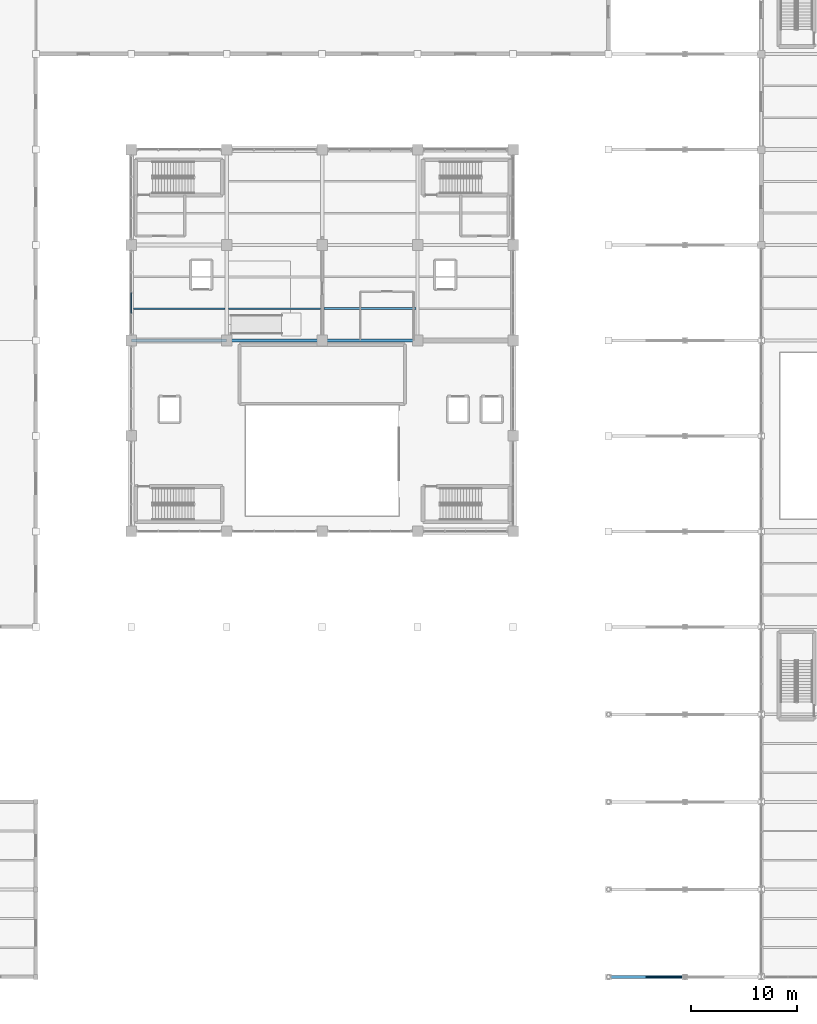
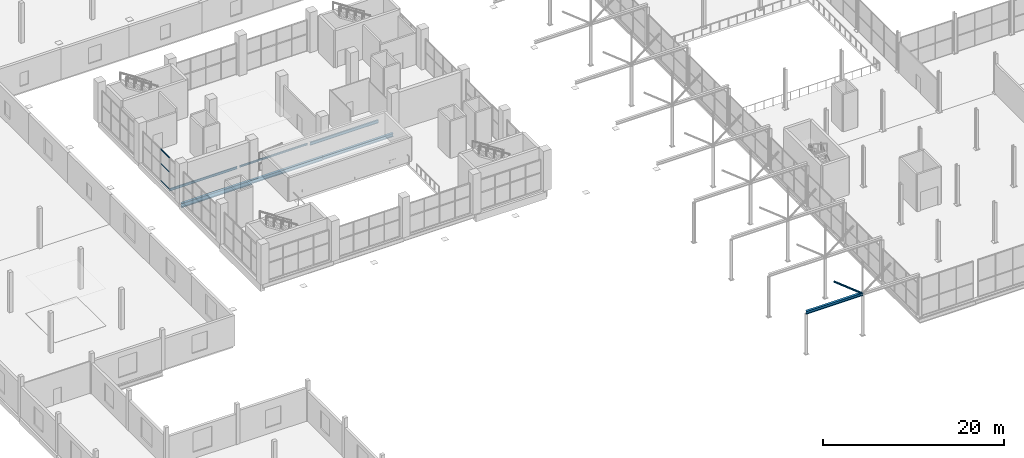
# One storey, part 18 of 147: 7 beams, 4 members, 1 element without a shape of its own.
"""IFC4 building model written with IfcOpenShell, lengths in metres."""

from ifc_helpers import new_model, si_unit, direction, frame, origin, origin_2d, place, context, subcontext, project, spatial, hollow_rectangle, hollow_circle, i_section, extrude, material, layer, layer_set, material_profile, profile_set, type_object, element, aggregate, save


model = new_model("IFC4")

# Units and contexts
model_context = context("Model", 3, precision=1e-05, world=origin(), true_north=direction((0.0, 1.0)))
body_context = subcontext(model_context, "Body", "Model", "MODEL_VIEW")
ifc_project = project(units=[si_unit("LENGTHUNIT", "METRE"), si_unit("AREAUNIT", "SQUARE_METRE"), si_unit("VOLUMEUNIT", "CUBIC_METRE"), si_unit("PLANEANGLEUNIT", "RADIAN"), si_unit("MASSUNIT", "GRAM", prefix="KILO")], contexts=[model_context])

# Site, building, storey
site_placement = place(None, origin())
site = spatial("IfcSite", under=ifc_project, at=site_placement, CompositionType="ELEMENT")
building_placement = place(site_placement, origin())
building = spatial("IfcBuilding", under=site, at=building_placement, Name="Sundgate Opera House", CompositionType="ELEMENT")
storey_placement = place(building_placement, frame((0.0, 0.0, 6.0)))
storey = spatial("IfcBuildingStorey", under=building, at=storey_placement, Name="L01", CompositionType="ELEMENT", Elevation=6.0)

# Beams
ifc_material_1 = material(Name="Steel S355J2", Category="steel")
ifc_material_profile_1 = material_profile(ifc_material_1, i_section(OverallWidth=0.300048828125, OverallDepth=0.389892578125, WebThickness=0.010986328125, FlangeThickness=0.01904296875, at=origin_2d()), Name="HEA 400")
ifc_profile_set_1 = profile_set([ifc_material_profile_1], Name="Steel S355J2")
beam_type_1 = type_object("IfcBeamType", Name="BM-GR-HEA400", PredefinedType="BEAM", material=ifc_profile_set_1)
beam_1_placement = place(storey_placement, frame((81.0, 0.0, 5.5849609375), z_axis=(1.0, 0.0, 0.0), x_axis=(0.0, 1.0, 0.0)))
element("IfcBeam", 1, at=beam_1_placement, inside=storey, type_object=beam_type_1, Name="L01 Passage Arch Tie Beam B3391", PredefinedType="BEAM", context=body_context, shape_type="SweptSolid", body=[
    extrude(i_section(OverallWidth=0.300048828125, OverallDepth=0.389892578125, WebThickness=0.010986328125, FlangeThickness=0.01904296875, at=origin_2d()), origin(), (0.0, 0.0, 1.0), 7.199951171875),
])
ifc_material_2 = material(Name="Steel S355J2", Category="steel")
ifc_material_profile_2 = material_profile(ifc_material_2, i_section(OverallWidth=0.300048828125, OverallDepth=0.43994140625, WebThickness=0.011474609375, FlangeThickness=0.02099609375, at=origin_2d()), Name="HEA 450")
ifc_profile_set_2 = profile_set([ifc_material_profile_2], Name="Steel S355J2")
beam_type_2 = type_object("IfcBeamType", Name="BM-GR-HEA450", PredefinedType="BEAM", material=ifc_profile_set_2)
beam_2_placement = place(storey_placement, frame((54.0, 60.0, -0.52001953125), z_axis=(1.0, 0.0, 0.0), x_axis=(0.0, 1.0, 0.0)))
element("IfcBeam", 2, at=beam_2_placement, inside=storey, type_object=beam_type_2, Name="L01 Primary E-W Girder B1346", PredefinedType="BEAM", context=body_context, shape_type="SweptSolid", body=[
    extrude(i_section(OverallWidth=0.300048828125, OverallDepth=0.43994140625, WebThickness=0.011474609375, FlangeThickness=0.02099609375, at=origin_2d()), origin(), (0.0, 0.0, 1.0), 9.0),
])
ifc_material_3 = material(Name="Steel S355J2", Category="steel")
ifc_material_profile_3 = material_profile(ifc_material_3, i_section(OverallWidth=0.300048828125, OverallDepth=0.489990234375, WebThickness=0.011962890625, FlangeThickness=0.02294921875, at=origin_2d()), Name="HEA 500")
ifc_profile_set_3 = profile_set([ifc_material_profile_3], Name="Steel S355J2")
beam_type_3 = type_object("IfcBeamType", Name="BM-GR-HEA500", PredefinedType="BEAM", material=ifc_profile_set_3)
beam_3_placement = place(storey_placement, frame((45.0, 60.0, -0.544921875), z_axis=(1.0, 0.0, 0.0), x_axis=(0.0, 1.0, 0.0)))
element("IfcBeam", 3, at=beam_3_placement, inside=storey, type_object=beam_type_3, Name="L01 Primary E-W Girder B1345", PredefinedType="BEAM", context=body_context, shape_type="SweptSolid", body=[
    extrude(i_section(OverallWidth=0.300048828125, OverallDepth=0.489990234375, WebThickness=0.011962890625, FlangeThickness=0.02294921875, at=origin_2d()), origin(), (0.0, 0.0, 1.0), 9.0),
])
ifc_material_4 = material(Name="Steel S355J2", Category="steel")
ifc_material_profile_4 = material_profile(ifc_material_4, i_section(OverallWidth=0.300048828125, OverallDepth=0.590087890625, WebThickness=0.012939453125, FlangeThickness=0.02490234375, at=origin_2d()), Name="HEA 600")
ifc_profile_set_4 = profile_set([ifc_material_profile_4], Name="Steel S355J2")
beam_type_4 = type_object("IfcBeamType", Name="BM-GR-HEA600", PredefinedType="BEAM", material=ifc_profile_set_4)
beam_4_placement = place(storey_placement, frame((36.0, 60.0, -0.594970703125), z_axis=(1.0, 0.0, 0.0), x_axis=(0.0, 1.0, 0.0)))
element("IfcBeam", 4, at=beam_4_placement, inside=storey, type_object=beam_type_4, Name="L01 Primary E-W Girder B1344", PredefinedType="BEAM", context=body_context, shape_type="SweptSolid", body=[
    extrude(i_section(OverallWidth=0.300048828125, OverallDepth=0.590087890625, WebThickness=0.012939453125, FlangeThickness=0.02490234375, at=origin_2d()), origin(), (0.0, 0.0, 1.0), 9.0),
])
ifc_material_5 = material(Name="Steel S355J2", Category="steel")
ifc_material_profile_5 = material_profile(ifc_material_5, i_section(OverallWidth=0.1201171875, OverallDepth=0.239990234375, WebThickness=0.006103515625, FlangeThickness=0.009765625, at=origin_2d()), Name="IPE 240")
ifc_profile_set_5 = profile_set([ifc_material_profile_5], Name="Steel S355J2")
beam_type_5 = type_object("IfcBeamType", Name="BM-JS-IPE240", PredefinedType="JOIST", material=ifc_profile_set_5)
beam_5_placement = place(storey_placement, frame((45.14990234375, 63.0, -0.419921875), z_axis=(1.0, 0.0, 0.0), x_axis=(0.0, 1.0, 0.0)))
element("IfcBeam", 5, at=beam_5_placement, inside=storey, type_object=beam_type_5, Name="L01 Secondary Floor Joist B1588", PredefinedType="JOIST", context=body_context, shape_type="SweptSolid", body=[
    extrude(i_section(OverallWidth=0.1201171875, OverallDepth=0.239990234375, WebThickness=0.006103515625, FlangeThickness=0.009765625, at=origin_2d()), origin(), (0.0, 0.0, 1.0), 8.7001953125),
])
ifc_material_6 = material(Name="Steel S355J2", Category="steel")
ifc_material_profile_6 = material_profile(ifc_material_6, i_section(OverallWidth=0.14990234375, OverallDepth=0.300048828125, WebThickness=0.007080078125, FlangeThickness=0.0107421875, at=origin_2d()), Name="IPE 300")
ifc_profile_set_6 = profile_set([ifc_material_profile_6], Name="Steel S355J2")
beam_type_6 = type_object("IfcBeamType", Name="BM-JS-IPE300", PredefinedType="JOIST", material=ifc_profile_set_6)
beam_6_placement = place(storey_placement, frame((36.22509765625, 63.0, -0.449951171875), z_axis=(1.0, 0.0, 0.0), x_axis=(0.0, 1.0, 0.0)))
element("IfcBeam", 6, at=beam_6_placement, inside=storey, type_object=beam_type_6, Name="L01 Secondary Floor Joist B1586", PredefinedType="JOIST", context=body_context, shape_type="SweptSolid", body=[
    extrude(i_section(OverallWidth=0.14990234375, OverallDepth=0.300048828125, WebThickness=0.007080078125, FlangeThickness=0.0107421875, at=origin_2d()), origin(), (0.0, 0.0, 1.0), 8.625),
])
ifc_material_7 = material(Name="Steel S355J2", Category="steel")
ifc_material_profile_7 = material_profile(ifc_material_7, i_section(OverallWidth=0.179931640625, OverallDepth=0.39990234375, WebThickness=0.008544921875, FlangeThickness=0.013427734375, at=origin_2d()), Name="IPE 400")
ifc_profile_set_7 = profile_set([ifc_material_profile_7], Name="Steel S355J2")
beam_type_7 = type_object("IfcBeamType", Name="BM-JS-IPE400", PredefinedType="JOIST", material=ifc_profile_set_7)
beam_7_placement = place(storey_placement, frame((54.14990234375, 63.0, -0.5), z_axis=(1.0, 0.0, 0.0), x_axis=(0.0, 1.0, 0.0)))
element("IfcBeam", 7, at=beam_7_placement, inside=storey, type_object=beam_type_7, Name="L01 Secondary Floor Joist B1590", PredefinedType="JOIST", context=body_context, shape_type="SweptSolid", body=[
    extrude(i_section(OverallWidth=0.179931640625, OverallDepth=0.39990234375, WebThickness=0.008544921875, FlangeThickness=0.013427734375, at=origin_2d()), origin(), (0.0, 0.0, 1.0), 8.7001953125),
])

# Curtain wall, members
ifc_material_8 = material(Name="Anodized aluminium and low-iron glass", Category="aluminium")
ifc_layer = layer(ifc_material_8, 0.179931640625)
ifc_layer_set = layer_set([ifc_layer], Name="Anodized aluminium and low-iron glass")
curtain_wall_type = type_object("IfcCurtainWallType", Name="CW-FOYER-GLASS", PredefinedType="NOTDEFINED", material=ifc_layer_set)
curtain_wall_placement = place(storey_placement, origin())
curtain_wall = element("IfcCurtainWall", 8, at=curtain_wall_placement, inside=storey, type_object=curtain_wall_type, Name="L01 Curtain Wall CW021", PredefinedType="NOTDEFINED")
ifc_material_9 = material(Name="Anodized aluminium EN AW-6063", Category="aluminium")
ifc_material_profile_8 = material_profile(ifc_material_9, hollow_rectangle(XDim=0.06005859375, YDim=0.139892578125, WallThickness=0.00390625, at=origin_2d()), Name="CWT 140x60x4")
ifc_profile_set_8 = profile_set([ifc_material_profile_8], Name="Anodized aluminium EN AW-6063")
member_type_1 = type_object("IfcMemberType", Name="CWT-ALU-140x60", PredefinedType="USERDEFINED", material=ifc_profile_set_8)
member_1_placement = place(storey_placement, frame((36.0, 64.5, 0.0), z_axis=(0.0, -1.0, 0.0), x_axis=(1.0, 0.0, 0.0)))
member_1 = element("IfcMember", 9, at=member_1_placement, type_object=member_type_1, Name="CW021 Transom 7", ObjectType="TRANSOM", PredefinedType="USERDEFINED", context=body_context, shape_type="SweptSolid", body=[
    extrude(hollow_rectangle(XDim=0.06005859375, YDim=0.139892578125, WallThickness=0.00390625, at=origin_2d()), origin(), (0.0, 0.0, 1.0), 1.949951171875),
])
member_2_placement = place(storey_placement, frame((36.0, 64.5, 2.300048828125), z_axis=(0.0, -1.0, 0.0), x_axis=(1.0, 0.0, 0.0)))
member_2 = element("IfcMember", 10, at=member_2_placement, type_object=member_type_1, Name="CW021 Transom 8", ObjectType="TRANSOM", PredefinedType="USERDEFINED", context=body_context, shape_type="SweptSolid", body=[
    extrude(hollow_rectangle(XDim=0.06005859375, YDim=0.139892578125, WallThickness=0.00390625, at=origin_2d()), origin(), (0.0, 0.0, 1.0), 1.949951171875),
])
member_3_placement = place(storey_placement, frame((36.0, 64.5, 4.215087890625), z_axis=(0.0, -1.0, 0.0), x_axis=(1.0, 0.0, 0.0)))
member_3 = element("IfcMember", 11, at=member_3_placement, type_object=member_type_1, Name="CW021 Transom 9", ObjectType="TRANSOM", PredefinedType="USERDEFINED", context=body_context, shape_type="SweptSolid", body=[
    extrude(hollow_rectangle(XDim=0.06005859375, YDim=0.139892578125, WallThickness=0.00390625, at=origin_2d()), origin(), (0.0, 0.0, 1.0), 1.949951171875),
])
aggregate(curtain_wall, [member_1, member_2, member_3])

# Member
ifc_material_10 = material(Name="Steel S355J2", Category="steel")
ifc_material_profile_9 = material_profile(ifc_material_10, hollow_circle(Radius=0.122314453125, WallThickness=0.012451171875, at=origin_2d()), Name="CHS 244.5x12.5")
ifc_profile_set_9 = profile_set([ifc_material_profile_9], Name="Steel S355J2")
member_type_2 = type_object("IfcMemberType", Name="MB-STRUT-CHS244", PredefinedType="STRUT", material=ifc_profile_set_9)
member_4_placement = place(storey_placement, frame((88.199951171875, 0.0, 5.594970703125), z_axis=(-0.78350570776, 0.0, 0.621384587762), x_axis=(0.0, -1.0, 0.0)))
element("IfcMember", 12, at=member_4_placement, inside=storey, type_object=member_type_2, Name="Passage Arch Spandrel Strut M0276", PredefinedType="STRUT", context=body_context, shape_type="SweptSolid", body=[
    extrude(hollow_circle(Radius=0.122314453125, WallThickness=0.012451171875, at=origin_2d()), origin(), (0.0, 0.0, 1.0), 4.594482421875),
])

save(model, "model.ifc")
